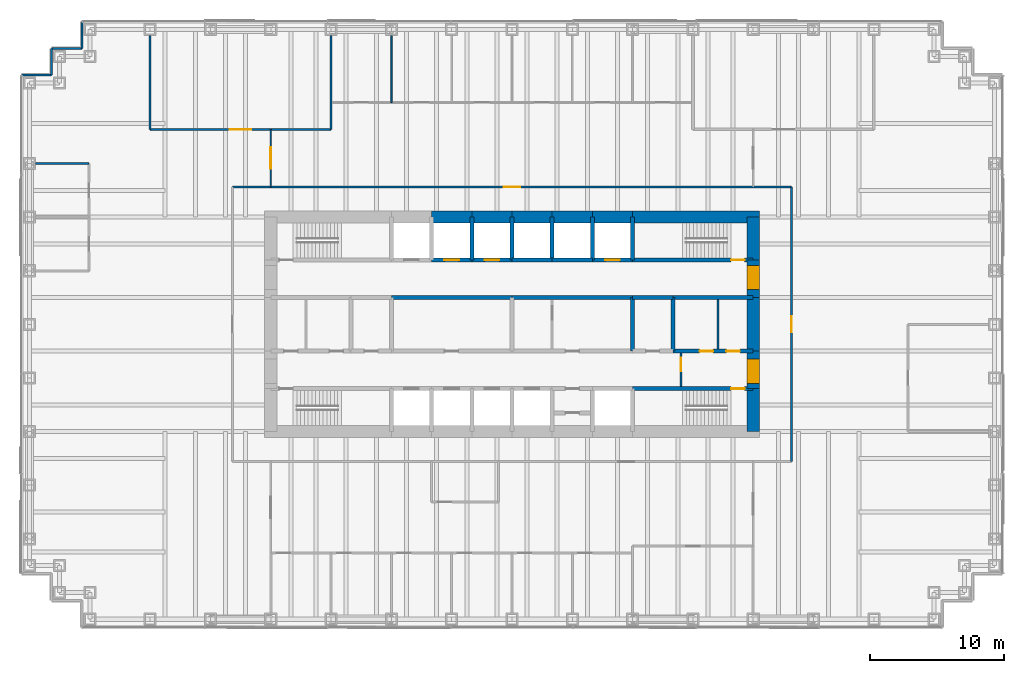
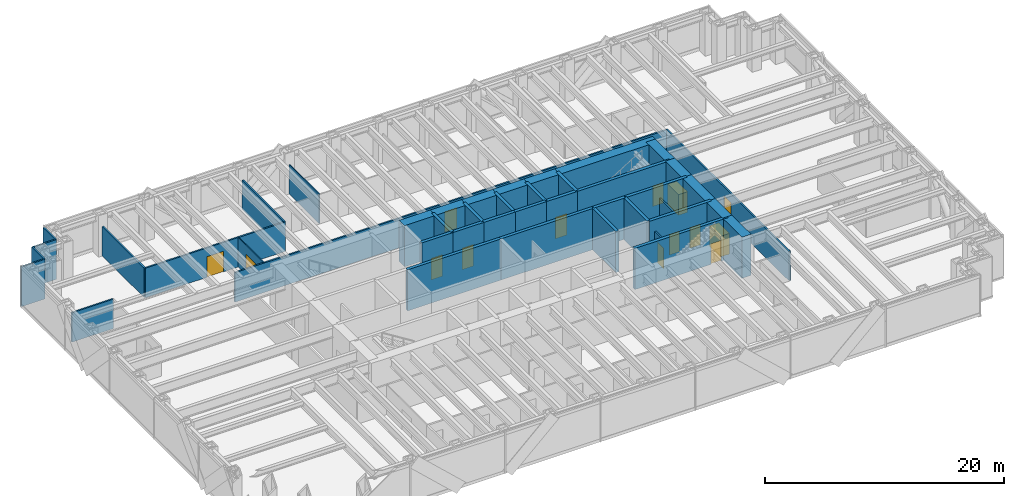
# One storey, part 13 of 15: 44 walls, 14 doors, 14 openings.
"""IFC4 building model written with IfcOpenShell, lengths in metres."""

from ifc_helpers import new_model, si_unit, direction, frame, frame_2d, origin, place, context, subcontext, project, spatial, rectangle, extrude, material, layer, layer_set, type_object, element, fill, save


model = new_model("IFC4")

# Units and contexts
model_context = context("Model", 3, precision=1e-05, world=origin(), true_north=direction((0.0, 1.0)))
body_context = subcontext(model_context, "Body", "Model", "MODEL_VIEW")
ifc_project = project(units=[si_unit("LENGTHUNIT", "METRE"), si_unit("AREAUNIT", "SQUARE_METRE"), si_unit("VOLUMEUNIT", "CUBIC_METRE"), si_unit("PLANEANGLEUNIT", "RADIAN"), si_unit("MASSUNIT", "GRAM", prefix="KILO")], contexts=[model_context])

# Site, building, storey
site_placement = place(None, origin())
site = spatial("IfcSite", under=ifc_project, at=site_placement, CompositionType="ELEMENT")
building_placement = place(site_placement, origin())
building = spatial("IfcBuilding", under=site, at=building_placement, Name="Rheinbord Bourse Tower", CompositionType="ELEMENT")
storey_placement = place(building_placement, frame((0.0, 0.0, 113.10009765625)))
storey = spatial("IfcBuildingStorey", under=building, at=storey_placement, Name="L24", CompositionType="ELEMENT", Elevation=113.10009765625)

# Wall, opening, door
ifc_material_1 = material(Name="Concrete C50/60", Category="concrete")
ifc_layer_1 = layer(ifc_material_1, 0.300048828125)
ifc_layer_set_1 = layer_set([ifc_layer_1], Name="CORE INNER WALL 300")
wall_type_1 = type_object("IfcWallType", Name="CORE INNER WALL 300", PredefinedType="SOLIDWALL", material=ifc_layer_set_1)
wall_1_placement = place(storey_placement, frame((45.0, 19.199951171875, 0.0), z_axis=(0.0, 0.0, 1.0), x_axis=(1.0, 0.0, 0.0)))
wall_1 = element("IfcWall", 1, at=wall_1_placement, inside=storey, type_object=wall_type_1, Name="Core wall A8 L24", PredefinedType="SOLIDWALL", context=body_context, shape_type="SweptSolid", body=[
    extrude(rectangle(XDim=9.0, YDim=0.300048828125, at=frame_2d((4.5, 0.0))), origin(), (0.0, 0.0, 1.0), 4.199951171875),
])
opening_1_placement = place(wall_1_placement, frame((7.35009765625, 0.0, 0.0)))
opening_1 = element("IfcOpeningElement", 2, at=opening_1_placement, cuts=wall_1, Name="Opening 2430", PredefinedType="OPENING", context=body_context, shape_type="SweptSolid", body=[
    extrude(rectangle(XDim=1.0, YDim=2.10009765625, at=frame_2d((0.5, 1.050048828125))), frame((0.0, 0.159912109375, 0.0), z_axis=(0.0, -1.0, 0.0), x_axis=(1.0, 0.0, 0.0)), (0.0, 0.0, 1.0), 0.320068359375),
])
ifc_material_2 = material(Name="Steel door", Category="steel")
door_type_1 = type_object("IfcDoorType", Name="DOOR 1000 EI30", OperationType="SINGLE_SWING_LEFT", PredefinedType="DOOR", material=ifc_material_2)
door_1_placement = place(opening_1_placement, origin())
door_1 = element("IfcDoor", 3, at=door_1_placement, inside=storey, type_object=door_type_1, Name="Stair door ST3 L24", OperationType="SINGLE_SWING_RIGHT", OverallHeight=2.10009765625, OverallWidth=1.0, PredefinedType="DOOR", context=body_context, shape_type="SweptSolid", body=[
    extrude(rectangle(XDim=1.0, YDim=2.10009765625, at=frame_2d((0.5, 1.050048828125))), frame((0.0, 0.02490234375, 0.0), z_axis=(0.0, -1.0, 0.0), x_axis=(1.0, 0.0, 0.0)), (0.0, 0.0, 1.0), 0.050048828125),
])
fill(opening_1, door_1)

wall_2_placement = place(storey_placement, frame((30.0, 28.800048828125, 0.0), z_axis=(0.0, 0.0, 1.0), x_axis=(1.0, 0.0, 0.0)))
wall_2 = element("IfcWall", 4, at=wall_2_placement, inside=storey, type_object=wall_type_1, Name="Core wall B3 L24", PredefinedType="SOLIDWALL", context=body_context, shape_type="SweptSolid", body=[
    extrude(rectangle(XDim=3.0, YDim=0.300048828125, at=frame_2d((1.5, 0.0))), origin(), (0.0, 0.0, 1.0), 4.199951171875),
])
opening_2_placement = place(wall_2_placement, frame((0.949951171875, 0.0, 0.0)))
opening_2 = element("IfcOpeningElement", 5, at=opening_2_placement, cuts=wall_2, Name="Opening PB4", PredefinedType="OPENING", context=body_context, shape_type="SweptSolid", body=[
    extrude(rectangle(XDim=1.10009765625, YDim=2.199951171875, at=frame_2d((0.550048828125, 1.10009765625))), frame((0.0, 0.159912109375, 0.0), z_axis=(0.0, -1.0, 0.0), x_axis=(1.0, 0.0, 0.0)), (0.0, 0.0, 1.0), 0.320068359375),
])
ifc_material_3 = material(Name="Steel landing door", Category="steel")
door_type_2 = type_object("IfcDoorType", Name="LIFT LANDING DOOR 1100", OperationType="DOUBLE_DOOR_SLIDING", PredefinedType="USERDEFINED", material=ifc_material_3)
door_2_placement = place(opening_2_placement, origin())
door_2 = element("IfcDoor", 6, at=door_2_placement, inside=storey, type_object=door_type_2, Name="Lift landing door PB4 L24", ObjectType="LIFT LANDING DOOR", OperationType="DOUBLE_DOOR_SLIDING", OverallHeight=2.199951171875, OverallWidth=1.10009765625, PredefinedType="USERDEFINED", context=body_context, shape_type="SweptSolid", body=[
    extrude(rectangle(XDim=1.10009765625, YDim=2.199951171875, at=frame_2d((0.550048828125, 1.10009765625))), frame((0.0, 0.02490234375, 0.0), z_axis=(0.0, -1.0, 0.0), x_axis=(1.0, 0.0, 0.0)), (0.0, 0.0, 1.0), 0.050048828125),
])
fill(opening_2, door_2)

wall_3_placement = place(storey_placement, frame((33.0, 28.800048828125, 0.0), z_axis=(0.0, 0.0, 1.0), x_axis=(1.0, 0.0, 0.0)))
wall_3 = element("IfcWall", 7, at=wall_3_placement, inside=storey, type_object=wall_type_1, Name="Core wall B4 L24", PredefinedType="SOLIDWALL", context=body_context, shape_type="SweptSolid", body=[
    extrude(rectangle(XDim=3.0, YDim=0.300048828125, at=frame_2d((1.5, 0.0))), origin(), (0.0, 0.0, 1.0), 4.199951171875),
])
opening_3_placement = place(wall_3_placement, frame((0.949951171875, 0.0, 0.0)))
opening_3 = element("IfcOpeningElement", 8, at=opening_3_placement, cuts=wall_3, Name="Opening PB5", PredefinedType="OPENING", context=body_context, shape_type="SweptSolid", body=[
    extrude(rectangle(XDim=1.10009765625, YDim=2.199951171875, at=frame_2d((0.550048828125, 1.10009765625))), frame((0.0, 0.159912109375, 0.0), z_axis=(0.0, -1.0, 0.0), x_axis=(1.0, 0.0, 0.0)), (0.0, 0.0, 1.0), 0.320068359375),
])
door_3_placement = place(opening_3_placement, origin())
door_3 = element("IfcDoor", 9, at=door_3_placement, inside=storey, type_object=door_type_2, Name="Lift landing door PB5 L24", ObjectType="LIFT LANDING DOOR", OperationType="DOUBLE_DOOR_SLIDING", OverallHeight=2.199951171875, OverallWidth=1.10009765625, PredefinedType="USERDEFINED", context=body_context, shape_type="SweptSolid", body=[
    extrude(rectangle(XDim=1.10009765625, YDim=2.199951171875, at=frame_2d((0.550048828125, 1.10009765625))), frame((0.0, 0.02490234375, 0.0), z_axis=(0.0, -1.0, 0.0), x_axis=(1.0, 0.0, 0.0)), (0.0, 0.0, 1.0), 0.050048828125),
])
fill(opening_3, door_3)

# Walls
for number, where, z_axis, x_axis, name in (
    (10, (36.0, 28.800048828125, 0.0), (0.0, 0.0, 1.0), (1.0, 0.0, 0.0), "Core wall B5 L24"),
    (11, (39.0, 28.800048828125, 0.0), (0.0, 0.0, 1.0), (1.0, 0.0, 0.0), "Core wall B6 L24"),
):
    element("IfcWall", number, at=place(storey_placement, frame(where, z_axis=z_axis, x_axis=x_axis)), inside=storey, type_object=wall_type_1, Name=name, PredefinedType="SOLIDWALL", context=body_context, shape_type="SweptSolid", body=[
        extrude(rectangle(XDim=3.0, YDim=0.300048828125, at=frame_2d((1.5, 0.0))), origin(), (0.0, 0.0, 1.0), 4.199951171875),
    ])

# Wall, opening, door
wall_4_placement = place(storey_placement, frame((42.0, 28.800048828125, 0.0), z_axis=(0.0, 0.0, 1.0), x_axis=(1.0, 0.0, 0.0)))
wall_4 = element("IfcWall", 12, at=wall_4_placement, inside=storey, type_object=wall_type_1, Name="Core wall B7 L24", PredefinedType="SOLIDWALL", context=body_context, shape_type="SweptSolid", body=[
    extrude(rectangle(XDim=3.0, YDim=0.300048828125, at=frame_2d((1.5, 0.0))), origin(), (0.0, 0.0, 1.0), 4.199951171875),
])
opening_4_placement = place(wall_4_placement, frame((0.949951171875, 0.0, 0.0)))
opening_4 = element("IfcOpeningElement", 13, at=opening_4_placement, cuts=wall_4, Name="Opening FL2", PredefinedType="OPENING", context=body_context, shape_type="SweptSolid", body=[
    extrude(rectangle(XDim=1.10009765625, YDim=2.199951171875, at=frame_2d((0.550048828125, 1.10009765625))), frame((0.0, 0.159912109375, 0.0), z_axis=(0.0, -1.0, 0.0), x_axis=(1.0, 0.0, 0.0)), (0.0, 0.0, 1.0), 0.320068359375),
])
door_4_placement = place(opening_4_placement, origin())
door_4 = element("IfcDoor", 14, at=door_4_placement, inside=storey, type_object=door_type_2, Name="Lift landing door FL2 L24", ObjectType="LIFT LANDING DOOR", OperationType="DOUBLE_DOOR_SLIDING", OverallHeight=2.199951171875, OverallWidth=1.10009765625, PredefinedType="USERDEFINED", context=body_context, shape_type="SweptSolid", body=[
    extrude(rectangle(XDim=1.10009765625, YDim=2.199951171875, at=frame_2d((0.550048828125, 1.10009765625))), frame((0.0, 0.02490234375, 0.0), z_axis=(0.0, -1.0, 0.0), x_axis=(1.0, 0.0, 0.0)), (0.0, 0.0, 1.0), 0.050048828125),
])
fill(opening_4, door_4)

wall_5_placement = place(storey_placement, frame((45.0, 28.800048828125, 0.0), z_axis=(0.0, 0.0, 1.0), x_axis=(1.0, 0.0, 0.0)))
wall_5 = element("IfcWall", 15, at=wall_5_placement, inside=storey, type_object=wall_type_1, Name="Core wall B8 L24", PredefinedType="SOLIDWALL", context=body_context, shape_type="SweptSolid", body=[
    extrude(rectangle(XDim=9.0, YDim=0.300048828125, at=frame_2d((4.5, 0.0))), origin(), (0.0, 0.0, 1.0), 4.199951171875),
])
opening_5_placement = place(wall_5_placement, frame((7.35009765625, 0.0, 0.0)))
opening_5 = element("IfcOpeningElement", 16, at=opening_5_placement, cuts=wall_5, Name="Opening 2440", PredefinedType="OPENING", context=body_context, shape_type="SweptSolid", body=[
    extrude(rectangle(XDim=1.0, YDim=2.10009765625, at=frame_2d((0.5, 1.050048828125))), frame((0.0, 0.159912109375, 0.0), z_axis=(0.0, -1.0, 0.0), x_axis=(1.0, 0.0, 0.0)), (0.0, 0.0, 1.0), 0.320068359375),
])
door_5_placement = place(opening_5_placement, origin())
door_5 = element("IfcDoor", 17, at=door_5_placement, inside=storey, type_object=door_type_1, Name="Stair door ST4 L24", OperationType="SINGLE_SWING_RIGHT", OverallHeight=2.10009765625, OverallWidth=1.0, PredefinedType="DOOR", context=body_context, shape_type="SweptSolid", body=[
    extrude(rectangle(XDim=1.0, YDim=2.10009765625, at=frame_2d((0.5, 1.050048828125))), frame((0.0, 0.02490234375, 0.0), z_axis=(0.0, -1.0, 0.0), x_axis=(1.0, 0.0, 0.0)), (0.0, 0.0, 1.0), 0.050048828125),
])
fill(opening_5, door_5)

# Wall, openings, doors
wall_6_placement = place(storey_placement, frame((48.0, 22.0, 0.0), z_axis=(0.0, 0.0, 1.0), x_axis=(1.0, 0.0, 0.0)))
wall_6 = element("IfcWall", 18, at=wall_6_placement, inside=storey, type_object=wall_type_1, Name="Core wall C6 L24", PredefinedType="SOLIDWALL", context=body_context, shape_type="SweptSolid", body=[
    extrude(rectangle(XDim=6.0, YDim=0.300048828125, at=frame_2d((3.0, 0.0))), origin(), (0.0, 0.0, 1.0), 4.199951171875),
])
opening_6_placement = place(wall_6_placement, frame((2.0, 0.0, 0.0)))
opening_6 = element("IfcOpeningElement", 19, at=opening_6_placement, cuts=wall_6, Name="Opening 24R6", PredefinedType="OPENING", context=body_context, shape_type="SweptSolid", body=[
    extrude(rectangle(XDim=1.0, YDim=2.10009765625, at=frame_2d((0.5, 1.050048828125))), frame((0.0, 0.159912109375, 0.0), z_axis=(0.0, -1.0, 0.0), x_axis=(1.0, 0.0, 0.0)), (0.0, 0.0, 1.0), 0.320068359375),
])
opening_7_placement = place(wall_6_placement, frame((4.0, 0.0, 0.0)))
opening_7 = element("IfcOpeningElement", 20, at=opening_7_placement, cuts=wall_6, Name="Opening 24R10", PredefinedType="OPENING", context=body_context, shape_type="SweptSolid", body=[
    extrude(rectangle(XDim=1.0, YDim=2.10009765625, at=frame_2d((0.5, 1.050048828125))), frame((0.0, 0.159912109375, 0.0), z_axis=(0.0, -1.0, 0.0), x_axis=(1.0, 0.0, 0.0)), (0.0, 0.0, 1.0), 0.320068359375),
])
door_6_placement = place(opening_7_placement, origin())
door_6 = element("IfcDoor", 21, at=door_6_placement, inside=storey, type_object=door_type_1, Name="Staff shower door L24", OperationType="SINGLE_SWING_RIGHT", OverallHeight=2.10009765625, OverallWidth=1.0, PredefinedType="DOOR", context=body_context, shape_type="SweptSolid", body=[
    extrude(rectangle(XDim=1.0, YDim=2.10009765625, at=frame_2d((0.5, 1.050048828125))), frame((0.0, 0.02490234375, 0.0), z_axis=(0.0, -1.0, 0.0), x_axis=(1.0, 0.0, 0.0)), (0.0, 0.0, 1.0), 0.050048828125),
])
fill(opening_7, door_6)
ifc_material_4 = material(Name="Timber door", Category="wood")
door_type_3 = type_object("IfcDoorType", Name="DOOR 1000 WC", OperationType="SINGLE_SWING_LEFT", PredefinedType="DOOR", material=ifc_material_4)
door_7_placement = place(opening_6_placement, origin())
door_7 = element("IfcDoor", 22, at=door_7_placement, inside=storey, type_object=door_type_3, Name="WC women door L24", OperationType="SINGLE_SWING_LEFT", OverallHeight=2.10009765625, OverallWidth=1.0, PredefinedType="DOOR", context=body_context, shape_type="SweptSolid", body=[
    extrude(rectangle(XDim=1.0, YDim=2.10009765625, at=frame_2d((0.5, 1.050048828125))), frame((0.0, 0.02490234375, 0.0), z_axis=(0.0, -1.0, 0.0), x_axis=(1.0, 0.0, 0.0)), (0.0, 0.0, 1.0), 0.050048828125),
])
fill(opening_6, door_7)

# Walls
for number, where, z_axis, x_axis, name in (
    (23, (27.0, 26.0, 0.0), (0.0, 0.0, 1.0), (1.0, 0.0, 0.0), "Core wall D3 L24"),
    (24, (36.0, 26.0, 0.0), (0.0, 0.0, 1.0), (1.0, 0.0, 0.0), "Core wall D4 L24"),
):
    element("IfcWall", number, at=place(storey_placement, frame(where, z_axis=z_axis, x_axis=x_axis)), inside=storey, type_object=wall_type_1, Name=name, PredefinedType="SOLIDWALL", context=body_context, shape_type="SweptSolid", body=[
        extrude(rectangle(XDim=9.0, YDim=0.300048828125, at=frame_2d((4.5, 0.0))), origin(), (0.0, 0.0, 1.0), 4.199951171875),
    ])
wall_7_placement = place(storey_placement, frame((45.0, 26.0, 0.0), z_axis=(0.0, 0.0, 1.0), x_axis=(1.0, 0.0, 0.0)))
element("IfcWall", 25, at=wall_7_placement, inside=storey, type_object=wall_type_1, Name="Core wall D5 L24", PredefinedType="SOLIDWALL", context=body_context, shape_type="SweptSolid", body=[
    extrude(rectangle(XDim=3.0, YDim=0.300048828125, at=frame_2d((1.5, 0.0))), origin(), (0.0, 0.0, 1.0), 4.199951171875),
])
wall_8_placement = place(storey_placement, frame((48.0, 26.0, 0.0), z_axis=(0.0, 0.0, 1.0), x_axis=(1.0, 0.0, 0.0)))
element("IfcWall", 26, at=wall_8_placement, inside=storey, type_object=wall_type_1, Name="Core wall D6 L24", PredefinedType="SOLIDWALL", context=body_context, shape_type="SweptSolid", body=[
    extrude(rectangle(XDim=6.0, YDim=0.300048828125, at=frame_2d((3.0, 0.0))), origin(), (0.0, 0.0, 1.0), 4.199951171875),
])
for number, where, z_axis, x_axis, name in (
    (27, (33.0, 28.800048828125, 0.0), (0.0, 0.0, 1.0), (0.0, 1.0, 0.0), "Core wall NX33 L24"),
    (28, (36.0, 28.800048828125, 0.0), (0.0, 0.0, 1.0), (0.0, 1.0, 0.0), "Core wall NX36 L24"),
    (29, (39.0, 28.800048828125, 0.0), (0.0, 0.0, 1.0), (0.0, 1.0, 0.0), "Core wall NX39 L24"),
    (30, (42.0, 28.800048828125, 0.0), (0.0, 0.0, 1.0), (0.0, 1.0, 0.0), "Core wall NX42 L24"),
    (31, (45.0, 28.800048828125, 0.0), (0.0, 0.0, 1.0), (0.0, 1.0, 0.0), "Core wall NX45 L24"),
):
    element("IfcWall", number, at=place(storey_placement, frame(where, z_axis=z_axis, x_axis=x_axis)), inside=storey, type_object=wall_type_1, Name=name, PredefinedType="SOLIDWALL", context=body_context, shape_type="SweptSolid", body=[
        extrude(rectangle(XDim=3.199951171875, YDim=0.300048828125, at=frame_2d((1.60009765625, 0.0))), origin(), (0.0, 0.0, 1.0), 4.199951171875),
    ])
for number, where, z_axis, x_axis, name in (
    (32, (45.0, 22.0, 0.0), (0.0, 0.0, 1.0), (0.0, 1.0, 0.0), "Core wall MX45 L24"),
    (33, (48.0, 22.0, 0.0), (0.0, 0.0, 1.0), (0.0, 1.0, 0.0), "Core wall MX48 L24"),
):
    element("IfcWall", number, at=place(storey_placement, frame(where, z_axis=z_axis, x_axis=x_axis)), inside=storey, type_object=wall_type_1, Name=name, PredefinedType="SOLIDWALL", context=body_context, shape_type="SweptSolid", body=[
        extrude(rectangle(XDim=4.0, YDim=0.300048828125, at=frame_2d((2.0, 0.0))), origin(), (0.0, 0.0, 1.0), 4.199951171875),
    ])
ifc_material_5 = material(Name="Gypsum board fire partition", Category="gypsum board")
ifc_layer_2 = layer(ifc_material_5, 0.14990234375)
ifc_layer_set_2 = layer_set([ifc_layer_2], Name="CORE PARTITION 150 EI30")
wall_type_2 = type_object("IfcWallType", Name="CORE PARTITION 150 EI30", PredefinedType="PARTITIONING", material=ifc_layer_set_2)
wall_9_placement = place(storey_placement, frame((51.375, 22.14990234375, 0.0), z_axis=(0.0, 0.0, 1.0), x_axis=(0.0, 1.0, 0.0)))
element("IfcWall", 34, at=wall_9_placement, inside=storey, type_object=wall_type_2, Name="Core partition L24-3", PredefinedType="PARTITIONING", context=body_context, shape_type="SweptSolid", body=[
    extrude(rectangle(XDim=3.7001953125, YDim=0.14990234375, at=frame_2d((1.85009765625, 0.0))), origin(), (0.0, 0.0, 1.0), 3.0),
])

# Wall, opening, door
wall_10_placement = place(storey_placement, frame((48.60009765625, 19.35009765625, 0.0), z_axis=(0.0, 0.0, 1.0), x_axis=(0.0, 1.0, 0.0)))
wall_10 = element("IfcWall", 35, at=wall_10_placement, inside=storey, type_object=wall_type_2, Name="Core partition L24-4", PredefinedType="PARTITIONING", context=body_context, shape_type="SweptSolid", body=[
    extrude(rectangle(XDim=2.5, YDim=0.14990234375, at=frame_2d((1.25, 0.0))), origin(), (0.0, 0.0, 1.0), 3.0),
])
opening_8_placement = place(wall_10_placement, frame((1.14990234375, 0.0, 0.0)))
opening_8 = element("IfcOpeningElement", 36, at=opening_8_placement, cuts=wall_10, Name="Opening 24L5", PredefinedType="OPENING", context=body_context, shape_type="SweptSolid", body=[
    extrude(rectangle(XDim=1.0, YDim=2.10009765625, at=frame_2d((0.5, 1.050048828125))), frame((0.0, 0.0849609375, 0.0), z_axis=(0.0, -1.0, 0.0), x_axis=(1.0, 0.0, 0.0)), (0.0, 0.0, 1.0), 0.169921875),
])
door_8_placement = place(opening_8_placement, origin())
door_8 = element("IfcDoor", 37, at=door_8_placement, inside=storey, type_object=door_type_1, Name="Stair lobby door L24", OperationType="SINGLE_SWING_RIGHT", OverallHeight=2.10009765625, OverallWidth=1.0, PredefinedType="DOOR", context=body_context, shape_type="SweptSolid", body=[
    extrude(rectangle(XDim=1.0, YDim=2.10009765625, at=frame_2d((0.5, 1.050048828125))), frame((0.0, 0.02490234375, 0.0), z_axis=(0.0, -1.0, 0.0), x_axis=(1.0, 0.0, 0.0)), (0.0, 0.0, 1.0), 0.050048828125),
])
fill(opening_8, door_8)

# Walls
ifc_material_6 = material(Name="Concrete C50/60", Category="concrete")
ifc_layer_3 = layer(ifc_material_6, 0.89990234375)
ifc_layer_set_3 = layer_set([ifc_layer_3], Name="CORE WALL 900")
wall_type_3 = type_object("IfcWallType", Name="CORE WALL 900", PredefinedType="SHEAR", material=ifc_layer_set_3)
wall_11_placement = place(storey_placement, frame((54.449951171875, 32.0, 0.0), z_axis=(0.0, 0.0, 1.0), x_axis=(-1.0, 0.0, 0.0)))
element("IfcWall", 38, at=wall_11_placement, inside=storey, type_object=wall_type_3, Name="Core wall N1 L24", PredefinedType="SHEAR", context=body_context, shape_type="SweptSolid", body=[
    extrude(rectangle(XDim=9.449951171875, YDim=0.89990234375, at=frame_2d((4.72509765625, 0.0))), origin(), (0.0, 0.0, 1.0), 4.199951171875),
])
for number, where, z_axis, x_axis, name in (
    (39, (45.0, 32.0, 0.0), (0.0, 0.0, 1.0), (-1.0, 0.0, 0.0), "Core wall N2 L24"),
    (40, (42.0, 32.0, 0.0), (0.0, 0.0, 1.0), (-1.0, 0.0, 0.0), "Core wall N3 L24"),
    (41, (39.0, 32.0, 0.0), (0.0, 0.0, 1.0), (-1.0, 0.0, 0.0), "Core wall N4 L24"),
    (42, (36.0, 32.0, 0.0), (0.0, 0.0, 1.0), (-1.0, 0.0, 0.0), "Core wall N5 L24"),
    (43, (33.0, 32.0, 0.0), (0.0, 0.0, 1.0), (-1.0, 0.0, 0.0), "Core wall N6 L24"),
):
    element("IfcWall", number, at=place(storey_placement, frame(where, z_axis=z_axis, x_axis=x_axis)), inside=storey, type_object=wall_type_3, Name=name, PredefinedType="SHEAR", context=body_context, shape_type="SweptSolid", body=[
        extrude(rectangle(XDim=3.0, YDim=0.89990234375, at=frame_2d((1.5, 0.0))), origin(), (0.0, 0.0, 1.0), 4.199951171875),
    ])
wall_12_placement = place(storey_placement, frame((54.0, 16.0, 0.0), z_axis=(0.0, 0.0, 1.0), x_axis=(0.0, 1.0, 0.0)))
element("IfcWall", 44, at=wall_12_placement, inside=storey, type_object=wall_type_3, Name="Core wall E1 L24", PredefinedType="SHEAR", context=body_context, shape_type="SweptSolid", body=[
    extrude(rectangle(XDim=3.199951171875, YDim=0.89990234375, at=frame_2d((1.60009765625, 0.0))), origin(), (0.0, 0.0, 1.0), 4.199951171875),
])

# Wall, opening, door
wall_13_placement = place(storey_placement, frame((54.0, 19.199951171875, 0.0), z_axis=(0.0, 0.0, 1.0), x_axis=(0.0, 1.0, 0.0)))
wall_13 = element("IfcWall", 45, at=wall_13_placement, inside=storey, type_object=wall_type_3, Name="Core wall E2 L24", PredefinedType="SHEAR", context=body_context, shape_type="SweptSolid", body=[
    extrude(rectangle(XDim=2.800048828125, YDim=0.89990234375, at=frame_2d((1.39990234375, 0.0))), origin(), (0.0, 0.0, 1.0), 4.199951171875),
])
opening_9_placement = place(wall_13_placement, frame((0.39990234375, 0.0, 0.0)))
opening_9 = element("IfcOpeningElement", 46, at=opening_9_placement, cuts=wall_13, Name="Opening 24L3", PredefinedType="OPENING", context=body_context, shape_type="SweptSolid", body=[
    extrude(rectangle(XDim=1.800048828125, YDim=2.10009765625, at=frame_2d((0.89990234375, 1.050048828125))), frame((0.0, 0.4599609375, 0.0), z_axis=(0.0, -1.0, 0.0), x_axis=(1.0, 0.0, 0.0)), (0.0, 0.0, 1.0), 0.919921875),
])
ifc_material_7 = material(Name="Steel door", Category="steel")
door_type_4 = type_object("IfcDoorType", Name="DOOR 1800 EI30 DOUBLE", OperationType="DOUBLE_DOOR_DOUBLE_SWING", PredefinedType="DOOR", material=ifc_material_7)
door_9_placement = place(opening_9_placement, origin())
door_9 = element("IfcDoor", 47, at=door_9_placement, inside=storey, type_object=door_type_4, Name="Lobby door 3 L24", OperationType="SINGLE_SWING_LEFT", OverallHeight=2.10009765625, OverallWidth=1.800048828125, PredefinedType="DOOR", context=body_context, shape_type="SweptSolid", body=[
    extrude(rectangle(XDim=1.800048828125, YDim=2.10009765625, at=frame_2d((0.89990234375, 1.050048828125))), frame((0.0, 0.44970703125, 0.0), z_axis=(0.0, -1.0, 0.0), x_axis=(1.0, 0.0, 0.0)), (0.0, 0.0, 1.0), 0.8994140625),
])
fill(opening_9, door_9)

# Wall
wall_14_placement = place(storey_placement, frame((54.0, 22.0, 0.0), z_axis=(0.0, 0.0, 1.0), x_axis=(0.0, 1.0, 0.0)))
element("IfcWall", 48, at=wall_14_placement, inside=storey, type_object=wall_type_3, Name="Core wall E3 L24", PredefinedType="SHEAR", context=body_context, shape_type="SweptSolid", body=[
    extrude(rectangle(XDim=4.0, YDim=0.89990234375, at=frame_2d((2.0, 0.0))), origin(), (0.0, 0.0, 1.0), 4.199951171875),
])

# Wall, opening, door
wall_15_placement = place(storey_placement, frame((54.0, 26.0, 0.0), z_axis=(0.0, 0.0, 1.0), x_axis=(0.0, 1.0, 0.0)))
wall_15 = element("IfcWall", 49, at=wall_15_placement, inside=storey, type_object=wall_type_3, Name="Core wall E4 L24", PredefinedType="SHEAR", context=body_context, shape_type="SweptSolid", body=[
    extrude(rectangle(XDim=2.800048828125, YDim=0.89990234375, at=frame_2d((1.39990234375, 0.0))), origin(), (0.0, 0.0, 1.0), 4.199951171875),
])
opening_10_placement = place(wall_15_placement, frame((0.60009765625, 0.0, 0.0)))
opening_10 = element("IfcOpeningElement", 50, at=opening_10_placement, cuts=wall_15, Name="Opening 24L4", PredefinedType="OPENING", context=body_context, shape_type="SweptSolid", body=[
    extrude(rectangle(XDim=1.800048828125, YDim=2.10009765625, at=frame_2d((0.89990234375, 1.050048828125))), frame((0.0, 0.4599609375, 0.0), z_axis=(0.0, -1.0, 0.0), x_axis=(1.0, 0.0, 0.0)), (0.0, 0.0, 1.0), 0.919921875),
])
door_10_placement = place(opening_10_placement, origin())
door_10 = element("IfcDoor", 51, at=door_10_placement, inside=storey, type_object=door_type_4, Name="Lobby door 4 L24", OperationType="SINGLE_SWING_LEFT", OverallHeight=2.10009765625, OverallWidth=1.800048828125, PredefinedType="DOOR", context=body_context, shape_type="SweptSolid", body=[
    extrude(rectangle(XDim=1.800048828125, YDim=2.10009765625, at=frame_2d((0.89990234375, 1.050048828125))), frame((0.0, 0.44970703125, 0.0), z_axis=(0.0, -1.0, 0.0), x_axis=(1.0, 0.0, 0.0)), (0.0, 0.0, 1.0), 0.8994140625),
])
fill(opening_10, door_10)

# Walls
wall_16_placement = place(storey_placement, frame((54.0, 28.800048828125, 0.0), z_axis=(0.0, 0.0, 1.0), x_axis=(0.0, 1.0, 0.0)))
element("IfcWall", 52, at=wall_16_placement, inside=storey, type_object=wall_type_3, Name="Core wall E5 L24", PredefinedType="SHEAR", context=body_context, shape_type="SweptSolid", body=[
    extrude(rectangle(XDim=3.199951171875, YDim=0.89990234375, at=frame_2d((1.60009765625, 0.0))), origin(), (0.0, 0.0, 1.0), 4.199951171875),
])
ifc_material_8 = material(Name="Black metal rainscreen panel", Category="aluminium")
ifc_layer_4 = layer(ifc_material_8, 0.14990234375)
ifc_layer_set_4 = layer_set([ifc_layer_4], Name="CORNER PIER CLADDING 150")
wall_type_4 = type_object("IfcWallType", Name="CORNER PIER CLADDING 150", PredefinedType="ELEMENTEDWALL", material=ifc_layer_set_4)
wall_17_placement = place(storey_placement, frame((3.89990234375, 46.60009765625, 0.0), z_axis=(0.0, 0.0, 1.0), x_axis=(0.0, -1.0, 0.0)))
element("IfcWall", 53, at=wall_17_placement, inside=storey, type_object=wall_type_4, Name="Corner pier cladding L24 12", PredefinedType="ELEMENTEDWALL", context=body_context, shape_type="SweptSolid", body=[
    extrude(rectangle(XDim=2.0, YDim=0.14990234375, at=frame_2d((1.0, 0.0))), origin(), (0.0, 0.0, 1.0), 4.039794921875),
])
wall_18_placement = place(storey_placement, frame((3.89990234375, 44.60009765625, 0.0), z_axis=(0.0, 0.0, 1.0), x_axis=(-1.0, 0.0, 0.0)))
element("IfcWall", 54, at=wall_18_placement, inside=storey, type_object=wall_type_4, Name="Corner pier cladding L24 13", PredefinedType="ELEMENTEDWALL", context=body_context, shape_type="SweptSolid", body=[
    extrude(rectangle(XDim=2.25, YDim=0.14990234375, at=frame_2d((1.125, 0.0))), origin(), (0.0, 0.0, 1.0), 4.039794921875),
])
wall_19_placement = place(storey_placement, frame((1.64990234375, 44.60009765625, 0.0), z_axis=(0.0, 0.0, 1.0), x_axis=(0.0, -1.0, 0.0)))
element("IfcWall", 55, at=wall_19_placement, inside=storey, type_object=wall_type_4, Name="Corner pier cladding L24 14", PredefinedType="ELEMENTEDWALL", context=body_context, shape_type="SweptSolid", body=[
    extrude(rectangle(XDim=2.0, YDim=0.14990234375, at=frame_2d((1.0, 0.0))), origin(), (0.0, 0.0, 1.0), 4.039794921875),
])
wall_20_placement = place(storey_placement, frame((1.64990234375, 42.60009765625, 0.0), z_axis=(0.0, 0.0, 1.0), x_axis=(-1.0, 0.0, 0.0)))
element("IfcWall", 56, at=wall_20_placement, inside=storey, type_object=wall_type_4, Name="Corner pier cladding L24 15", PredefinedType="ELEMENTEDWALL", context=body_context, shape_type="SweptSolid", body=[
    extrude(rectangle(XDim=2.25, YDim=0.14990234375, at=frame_2d((1.125, 0.0))), origin(), (0.0, 0.0, 1.0), 4.039794921875),
])

# Wall, opening, door
ifc_material_9 = material(Name="Gypsum board corridor partition", Category="gypsum board")
ifc_layer_5 = layer(ifc_material_9, 0.14990234375)
ifc_layer_set_5 = layer_set([ifc_layer_5], Name="CORRIDOR PARTITION 150 EI30")
wall_type_5 = type_object("IfcWallType", Name="CORRIDOR PARTITION 150 EI30", PredefinedType="PARTITIONING", material=ifc_layer_set_5)
wall_21_placement = place(storey_placement, frame((15.14990234375, 34.25, 0.0), z_axis=(0.0, 0.0, 1.0), x_axis=(1.0, 0.0, 0.0)))
wall_21 = element("IfcWall", 57, at=wall_21_placement, inside=storey, type_object=wall_type_5, Name="Partition L24-11", PredefinedType="PARTITIONING", context=body_context, shape_type="SweptSolid", body=[
    extrude(rectangle(XDim=41.7001953125, YDim=0.14990234375, at=frame_2d((20.85009765625, 0.0))), origin(), (0.0, 0.0, 1.0), 3.0),
])
opening_11_placement = place(wall_21_placement, frame((20.25, 0.0, 0.0)))
opening_11 = element("IfcOpeningElement", 58, at=opening_11_placement, cuts=wall_21, Name="Opening 24D27", PredefinedType="OPENING", context=body_context, shape_type="SweptSolid", body=[
    extrude(rectangle(XDim=1.199951171875, YDim=2.10009765625, at=frame_2d((0.60009765625, 1.050048828125))), frame((0.0, 0.0849609375, 0.0), z_axis=(0.0, -1.0, 0.0), x_axis=(1.0, 0.0, 0.0)), (0.0, 0.0, 1.0), 0.169921875),
])
ifc_material_10 = material(Name="Timber fire door", Category="wood")
door_type_5 = type_object("IfcDoorType", Name="SUITE ENTRANCE DOOR 1200 EI30", OperationType="SINGLE_SWING_LEFT", PredefinedType="DOOR", material=ifc_material_10)
door_11_placement = place(opening_11_placement, origin())
door_11 = element("IfcDoor", 59, at=door_11_placement, inside=storey, type_object=door_type_5, Name="Suite entrance 4 door L24", OperationType="SINGLE_SWING_LEFT", OverallHeight=2.10009765625, OverallWidth=1.199951171875, PredefinedType="DOOR", context=body_context, shape_type="SweptSolid", body=[
    extrude(rectangle(XDim=1.199951171875, YDim=2.10009765625, at=frame_2d((0.60009765625, 1.050048828125))), frame((0.0, 0.02490234375, 0.0), z_axis=(0.0, -1.0, 0.0), x_axis=(1.0, 0.0, 0.0)), (0.0, 0.0, 1.0), 0.050048828125),
])
fill(opening_11, door_11)

wall_22_placement = place(storey_placement, frame((56.85009765625, 13.75, 0.0), z_axis=(0.0, 0.0, 1.0), x_axis=(0.0, 1.0, 0.0)))
wall_22 = element("IfcWall", 60, at=wall_22_placement, inside=storey, type_object=wall_type_5, Name="Partition L24-40", PredefinedType="PARTITIONING", context=body_context, shape_type="SweptSolid", body=[
    extrude(rectangle(XDim=20.5, YDim=0.14990234375, at=frame_2d((10.25, 0.0))), origin(), (0.0, 0.0, 1.0), 3.0),
])
opening_12_placement = place(wall_22_placement, frame((9.64990234375, 0.0, 0.0)))
opening_12 = element("IfcOpeningElement", 61, at=opening_12_placement, cuts=wall_22, Name="Opening 24D25", PredefinedType="OPENING", context=body_context, shape_type="SweptSolid", body=[
    extrude(rectangle(XDim=1.199951171875, YDim=2.10009765625, at=frame_2d((0.60009765625, 1.050048828125))), frame((0.0, 0.0849609375, 0.0), z_axis=(0.0, -1.0, 0.0), x_axis=(1.0, 0.0, 0.0)), (0.0, 0.0, 1.0), 0.169921875),
])
door_12_placement = place(opening_12_placement, origin())
door_12 = element("IfcDoor", 62, at=door_12_placement, inside=storey, type_object=door_type_5, Name="Suite entrance 2 door L24", OperationType="SINGLE_SWING_LEFT", OverallHeight=2.10009765625, OverallWidth=1.199951171875, PredefinedType="DOOR", context=body_context, shape_type="SweptSolid", body=[
    extrude(rectangle(XDim=1.199951171875, YDim=2.10009765625, at=frame_2d((0.60009765625, 1.050048828125))), frame((0.0, 0.02490234375, 0.0), z_axis=(0.0, -1.0, 0.0), x_axis=(1.0, 0.0, 0.0)), (0.0, 0.0, 1.0), 0.050048828125),
])
fill(opening_12, door_12)

ifc_material_11 = material(Name="Toughened laminated glass partition", Category="glass")
ifc_layer_6 = layer(ifc_material_11, 0.10009765625)
ifc_layer_set_6 = layer_set([ifc_layer_6], Name="GLAZED PARTITION 100")
wall_type_6 = type_object("IfcWallType", Name="GLAZED PARTITION 100", PredefinedType="PARTITIONING", material=ifc_layer_set_6)
wall_23_placement = place(storey_placement, frame((18.0, 34.25, 0.0), z_axis=(0.0, 0.0, 1.0), x_axis=(0.0, 1.0, 0.0)))
wall_23 = element("IfcWall", 63, at=wall_23_placement, inside=storey, type_object=wall_type_6, Name="Partition L24-21", PredefinedType="PARTITIONING", context=body_context, shape_type="SweptSolid", body=[
    extrude(rectangle(XDim=4.300048828125, YDim=0.10009765625, at=frame_2d((2.14990234375, 0.0))), origin(), (0.0, 0.0, 1.0), 3.0),
])
opening_13_placement = place(wall_23_placement, frame((1.35009765625, 0.0, 0.0)))
opening_13 = element("IfcOpeningElement", 64, at=opening_13_placement, cuts=wall_23, Name="Opening 24D21", PredefinedType="OPENING", context=body_context, shape_type="SweptSolid", body=[
    extrude(rectangle(XDim=1.60009765625, YDim=2.10009765625, at=frame_2d((0.800048828125, 1.050048828125))), frame((0.0, 0.06005859375, 0.0), z_axis=(0.0, -1.0, 0.0), x_axis=(1.0, 0.0, 0.0)), (0.0, 0.0, 1.0), 0.1201171875),
])
ifc_material_12 = material(Name="Timber door", Category="wood")
door_type_6 = type_object("IfcDoorType", Name="DOUBLE ROOM DOOR 1600", OperationType="DOUBLE_DOOR_DOUBLE_SWING", PredefinedType="DOOR", material=ifc_material_12)
door_13_placement = place(opening_13_placement, origin())
door_13 = element("IfcDoor", 65, at=door_13_placement, inside=storey, type_object=door_type_6, Name="Open area door L24", OperationType="SINGLE_SWING_LEFT", OverallHeight=2.10009765625, OverallWidth=1.60009765625, PredefinedType="DOOR", context=body_context, shape_type="SweptSolid", body=[
    extrude(rectangle(XDim=1.60009765625, YDim=2.10009765625, at=frame_2d((0.800048828125, 1.050048828125))), frame((0.0, 0.02490234375, 0.0), z_axis=(0.0, -1.0, 0.0), x_axis=(1.0, 0.0, 0.0)), (0.0, 0.0, 1.0), 0.050048828125),
])
fill(opening_13, door_13)

# Walls
wall_24_placement = place(storey_placement, frame((27.0, 40.550048828125, 0.0), z_axis=(0.0, 0.0, 1.0), x_axis=(0.0, 1.0, 0.0)))
element("IfcWall", 66, at=wall_24_placement, inside=storey, type_object=wall_type_6, Name="Partition L24-25", PredefinedType="PARTITIONING", context=body_context, shape_type="SweptSolid", body=[
    extrude(rectangle(XDim=5.0, YDim=0.10009765625, at=frame_2d((2.5, 0.0))), origin(), (0.0, 0.0, 1.0), 3.0),
])
ifc_material_13 = material(Name="Gypsum board partition", Category="gypsum board")
ifc_layer_7 = layer(ifc_material_13, 0.14990234375)
ifc_layer_set_7 = layer_set([ifc_layer_7], Name="PARTITION 150")
wall_type_7 = type_object("IfcWallType", Name="PARTITION 150", PredefinedType="PARTITIONING", material=ifc_layer_set_7)
wall_25_placement = place(storey_placement, frame((0.449951171875, 36.0, 0.0), z_axis=(0.0, 0.0, 1.0), x_axis=(1.0, 0.0, 0.0)))
element("IfcWall", 67, at=wall_25_placement, inside=storey, type_object=wall_type_7, Name="Partition L24-12", PredefinedType="PARTITIONING", context=body_context, shape_type="SweptSolid", body=[
    extrude(rectangle(XDim=4.0, YDim=0.14990234375, at=frame_2d((2.0, 0.0))), origin(), (0.0, 0.0, 1.0), 3.0),
])

# Wall, opening, door
wall_26_placement = place(storey_placement, frame((9.0, 38.550048828125, 0.0), z_axis=(0.0, 0.0, 1.0), x_axis=(1.0, 0.0, 0.0)))
wall_26 = element("IfcWall", 68, at=wall_26_placement, inside=storey, type_object=wall_type_7, Name="Partition L24-13", PredefinedType="PARTITIONING", context=body_context, shape_type="SweptSolid", body=[
    extrude(rectangle(XDim=13.5, YDim=0.14990234375, at=frame_2d((6.75, 0.0))), origin(), (0.0, 0.0, 1.0), 3.0),
])
opening_14_placement = place(wall_26_placement, frame((5.949951171875, 0.0, 0.0)))
opening_14 = element("IfcOpeningElement", 69, at=opening_14_placement, cuts=wall_26, Name="Opening 24D12", PredefinedType="OPENING", context=body_context, shape_type="SweptSolid", body=[
    extrude(rectangle(XDim=1.60009765625, YDim=2.10009765625, at=frame_2d((0.800048828125, 1.050048828125))), frame((0.0, 0.0849609375, 0.0), z_axis=(0.0, -1.0, 0.0), x_axis=(1.0, 0.0, 0.0)), (0.0, 0.0, 1.0), 0.169921875),
])
door_14_placement = place(opening_14_placement, origin())
door_14 = element("IfcDoor", 70, at=door_14_placement, inside=storey, type_object=door_type_6, Name="Issuer lounge door L24", OperationType="SINGLE_SWING_LEFT", OverallHeight=2.10009765625, OverallWidth=1.60009765625, PredefinedType="DOOR", context=body_context, shape_type="SweptSolid", body=[
    extrude(rectangle(XDim=1.60009765625, YDim=2.10009765625, at=frame_2d((0.800048828125, 1.050048828125))), frame((0.0, 0.02490234375, 0.0), z_axis=(0.0, -1.0, 0.0), x_axis=(1.0, 0.0, 0.0)), (0.0, 0.0, 1.0), 0.050048828125),
])
fill(opening_14, door_14)

# Walls
for number, where, z_axis, x_axis, name in (
    (71, (9.0, 38.550048828125, 0.0), (0.0, 0.0, 1.0), (0.0, 1.0, 0.0), "Partition L24-17"),
    (72, (22.5, 38.550048828125, 0.0), (0.0, 0.0, 1.0), (0.0, 1.0, 0.0), "Partition L24-23"),
):
    element("IfcWall", number, at=place(storey_placement, frame(where, z_axis=z_axis, x_axis=x_axis)), inside=storey, type_object=wall_type_7, Name=name, PredefinedType="PARTITIONING", context=body_context, shape_type="SweptSolid", body=[
        extrude(rectangle(XDim=7.0, YDim=0.14990234375, at=frame_2d((3.5, 0.0))), origin(), (0.0, 0.0, 1.0), 3.0),
    ])

save(model, "model.ifc")
